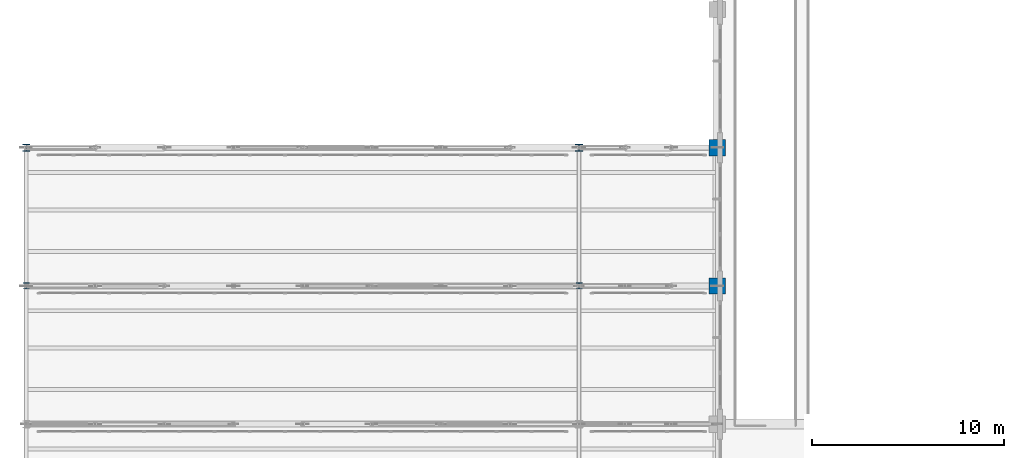
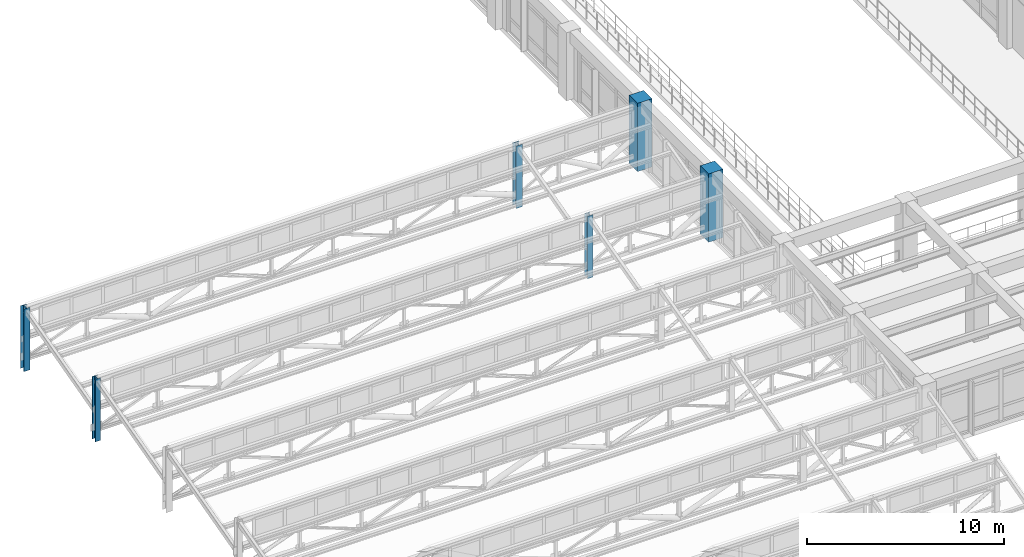
# One storey, part 3 of 98: 6 columns.
"""IFC4 building model written with IfcOpenShell, lengths in metres."""

from ifc_helpers import new_model, si_unit, direction, frame, origin, origin_2d, place, context, subcontext, project, spatial, rectangle, i_section, extrude, material, material_profile, profile_set, type_object, element, save


model = new_model("IFC4")

# Units and contexts
model_context = context("Model", 3, precision=1e-05, world=origin(), true_north=direction((0.0, 1.0)))
body_context = subcontext(model_context, "Body", "Model", "MODEL_VIEW")
ifc_project = project(units=[si_unit("LENGTHUNIT", "METRE"), si_unit("AREAUNIT", "SQUARE_METRE"), si_unit("VOLUMEUNIT", "CUBIC_METRE"), si_unit("PLANEANGLEUNIT", "RADIAN"), si_unit("MASSUNIT", "GRAM", prefix="KILO")], contexts=[model_context])

# Site, building, storey
site_placement = place(None, origin())
site = spatial("IfcSite", under=ifc_project, at=site_placement, CompositionType="ELEMENT")
building_placement = place(site_placement, origin())
building = spatial("IfcBuilding", under=site, at=building_placement, Name="Solenvale Faculty of Natural Sciences", CompositionType="ELEMENT")
storey_placement = place(building_placement, frame((0.0, 0.0, 9.0)))
storey = spatial("IfcBuildingStorey", under=building, at=storey_placement, Name="L02", CompositionType="ELEMENT", Elevation=9.0)

# Columns
ifc_material_1 = material(Name="Concrete 50 MPa", Category="concrete")
ifc_material_profile_1 = material_profile(ifc_material_1, rectangle(XDim=0.85009765625, YDim=0.85009765625, at=origin_2d()), Name="RC-COL-850x850")
ifc_profile_set_1 = profile_set([ifc_material_profile_1], Name="Concrete 50 MPa")
column_type_1 = type_object("IfcColumnType", Name="COL-RC-850", PredefinedType="COLUMN", material=ifc_profile_set_1)
for number, where, z_axis, x_axis, name in (
    (1, (36.0, 36.0, 0.0), (0.0, 0.0, 1.0), (1.0, 0.0, 0.0), "L02 Column (36.0, 36.0)"),
    (2, (36.0, 43.199951171875, 0.0), (0.0, 0.0, 1.0), (1.0, 0.0, 0.0), "L02 Column (36.0, 43.2)"),
):
    element("IfcColumn", number, at=place(storey_placement, frame(where, z_axis=z_axis, x_axis=x_axis)), inside=storey, type_object=column_type_1, Name=name, PredefinedType="COLUMN", context=body_context, shape_type="SweptSolid", body=[
        extrude(rectangle(XDim=0.85009765625, YDim=0.85009765625, at=origin_2d()), origin(), (0.0, 0.0, 1.0), 4.219970703125),
    ])
ifc_material_2 = material(Name="Steel S355", Category="steel")
ifc_material_profile_2 = material_profile(ifc_material_2, i_section(OverallWidth=0.30810546875, OverallDepth=0.318115234375, WebThickness=0.01318359375, FlangeThickness=0.0205078125, FilletRadius=0.014892578125, at=origin_2d()), Name="W310x129")
ifc_profile_set_2 = profile_set([ifc_material_profile_2], Name="Steel S355")
column_type_2 = type_object("IfcColumnType", Name="COL-STL-W310x129", PredefinedType="COLUMN", material=ifc_profile_set_2)
for number, where, z_axis, x_axis, name in (
    (3, (0.0, 36.0, 0.0), (0.0, 0.0, 1.0), (1.0, 0.0, 0.0), "V1 Sawtooth Monitor Column 6 X0"),
    (4, (28.800048828125, 36.0, 0.0), (0.0, 0.0, 1.0), (1.0, 0.0, 0.0), "V1 Sawtooth Monitor Column 6 X29"),
):
    element("IfcColumn", number, at=place(storey_placement, frame(where, z_axis=z_axis, x_axis=x_axis)), inside=storey, type_object=column_type_2, Name=name, PredefinedType="COLUMN", context=body_context, shape_type="SweptSolid", body=[
        extrude(i_section(OverallWidth=0.30810546875, OverallDepth=0.318115234375, WebThickness=0.01318359375, FlangeThickness=0.0205078125, FilletRadius=0.014892578125, at=origin_2d()), origin(), (0.0, 0.0, 1.0), 3.860107421875),
    ])
ifc_material_profile_3 = material_profile(ifc_material_2, i_section(OverallWidth=0.37109375, OverallDepth=0.364013671875, WebThickness=0.01318359375, FlangeThickness=0.021728515625, FilletRadius=0.02197265625, at=origin_2d()), Name="W360x162")
ifc_profile_set_3 = profile_set([ifc_material_profile_3], Name="Steel S355")
column_type_3 = type_object("IfcColumnType", Name="COL-STL-W360x162", PredefinedType="COLUMN", material=ifc_profile_set_3)
for number, where, z_axis, x_axis, name in (
    (5, (0.0, 43.199951171875, 0.0), (0.0, 0.0, 1.0), (1.0, 0.0, 0.0), "V1 Sawtooth Monitor Column 7 X0"),
    (6, (28.800048828125, 43.199951171875, 0.0), (0.0, 0.0, 1.0), (1.0, 0.0, 0.0), "V1 Sawtooth Monitor Column 7 X29"),
):
    element("IfcColumn", number, at=place(storey_placement, frame(where, z_axis=z_axis, x_axis=x_axis)), inside=storey, type_object=column_type_3, Name=name, PredefinedType="COLUMN", context=body_context, shape_type="SweptSolid", body=[
        extrude(i_section(OverallWidth=0.37109375, OverallDepth=0.364013671875, WebThickness=0.01318359375, FlangeThickness=0.021728515625, FilletRadius=0.02197265625, at=origin_2d()), origin(), (0.0, 0.0, 1.0), 3.860107421875),
    ])

save(model, "model.ifc")
